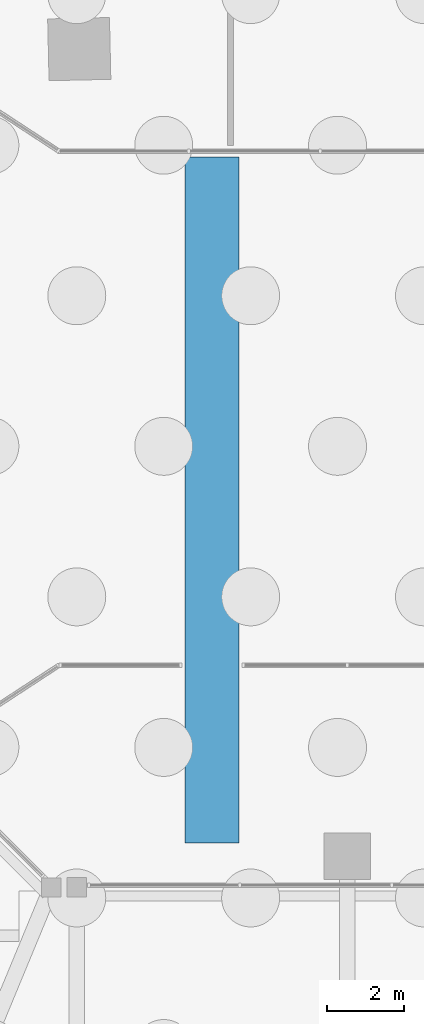
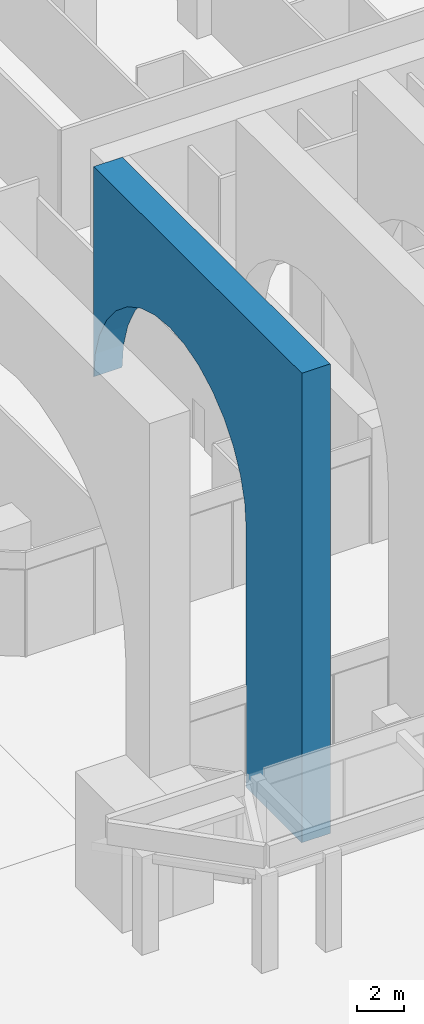
# One storey, part 6 of 46: 1 member.
"""IFC4 building model written with IfcOpenShell, lengths in metres."""

from ifc_helpers import new_model, si_unit, direction, frame, origin, place, context, subcontext, project, spatial, polyline, outline, extrude, material, material_profile, profile_set, type_object, element, save


model = new_model("IFC4")

# Units and contexts
model_context = context("Model", 3, precision=1e-05, world=origin(), true_north=direction((0.0, 1.0)))
body_context = subcontext(model_context, "Body", "Model", "MODEL_VIEW")
ifc_project = project(units=[si_unit("LENGTHUNIT", "METRE"), si_unit("AREAUNIT", "SQUARE_METRE"), si_unit("VOLUMEUNIT", "CUBIC_METRE"), si_unit("PLANEANGLEUNIT", "RADIAN"), si_unit("MASSUNIT", "GRAM", prefix="KILO")], contexts=[model_context])

# Site, building, storey
site_placement = place(None, origin())
site = spatial("IfcSite", under=ifc_project, at=site_placement, CompositionType="ELEMENT")
building_placement = place(site_placement, origin())
building = spatial("IfcBuilding", under=site, at=building_placement, Name="Mangrove Gate Tower", CompositionType="ELEMENT")
storey_placement = place(building_placement, origin())
storey = spatial("IfcBuildingStorey", under=building, at=storey_placement, Name="L00", CompositionType="ELEMENT", Elevation=0.0)

# Member
ifc_material = material(Name="Concrete C60/75", Category="concrete")
ifc_material_profile = material_profile(ifc_material, outline(polyline([(-8.875, 0.0), (-4.125, 0.0), (-4.125, 13.5), (-4.0, 14.76806640625), (-3.6298828125, 15.987060546875), (-3.030029296875, 17.111083984375), (-2.220947265625, 18.095947265625), (-1.236083984375, 18.905029296875), (-0.112060546875, 19.5048828125), (1.10693359375, 19.875), (2.375, 20.0), (3.64306640625, 19.875), (4.862060546875, 19.5048828125), (5.986083984375, 18.905029296875), (6.970947265625, 18.095947265625), (7.780029296875, 17.111083984375), (8.3798828125, 15.987060546875), (8.75, 14.76806640625), (8.875, 13.5), (8.875, 24.449951171875), (-8.875, 24.449951171875), (-8.875, 0.0)])))
ifc_profile_set = profile_set([ifc_material_profile], Name="Concrete C60/75")
member_type = type_object("IfcMemberType", Name="Arch frame ARCH FRAME 1400x17750 C60/75", PredefinedType="USERDEFINED", material=ifc_profile_set)
member_placement = place(storey_placement, frame((-28.699951171875, -20.875, 0.0), z_axis=(1.0, 0.0, 0.0), x_axis=(0.0, 1.0, 0.0)))
element("IfcMember", 1, at=member_placement, inside=storey, type_object=member_type, Name="Arch frame XM28", ObjectType="ARCH FRAME", PredefinedType="USERDEFINED", context=body_context, shape_type="SweptSolid", body=[
    extrude(outline(polyline([(-8.875, 0.0), (-4.125, 0.0), (-4.125, 13.5), (-4.0, 14.76806640625), (-3.6298828125, 15.987060546875), (-3.030029296875, 17.111083984375), (-2.220947265625, 18.095947265625), (-1.236083984375, 18.905029296875), (-0.112060546875, 19.5048828125), (1.10693359375, 19.875), (2.375, 20.0), (3.64306640625, 19.875), (4.862060546875, 19.5048828125), (5.986083984375, 18.905029296875), (6.970947265625, 18.095947265625), (7.780029296875, 17.111083984375), (8.3798828125, 15.987060546875), (8.75, 14.76806640625), (8.875, 13.5), (8.875, 24.449951171875), (-8.875, 24.449951171875), (-8.875, 0.0)])), origin(), (0.0, 0.0, 1.0), 1.39990234375),
])

save(model, "model.ifc")
